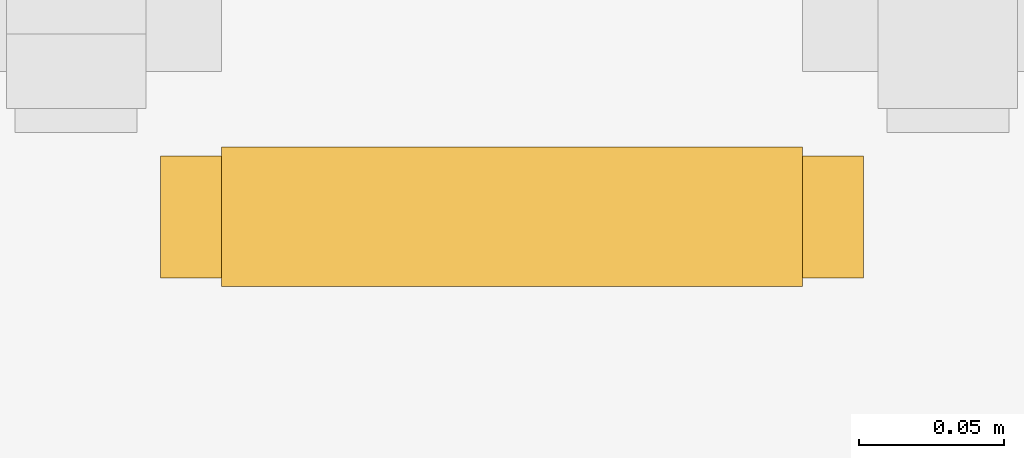
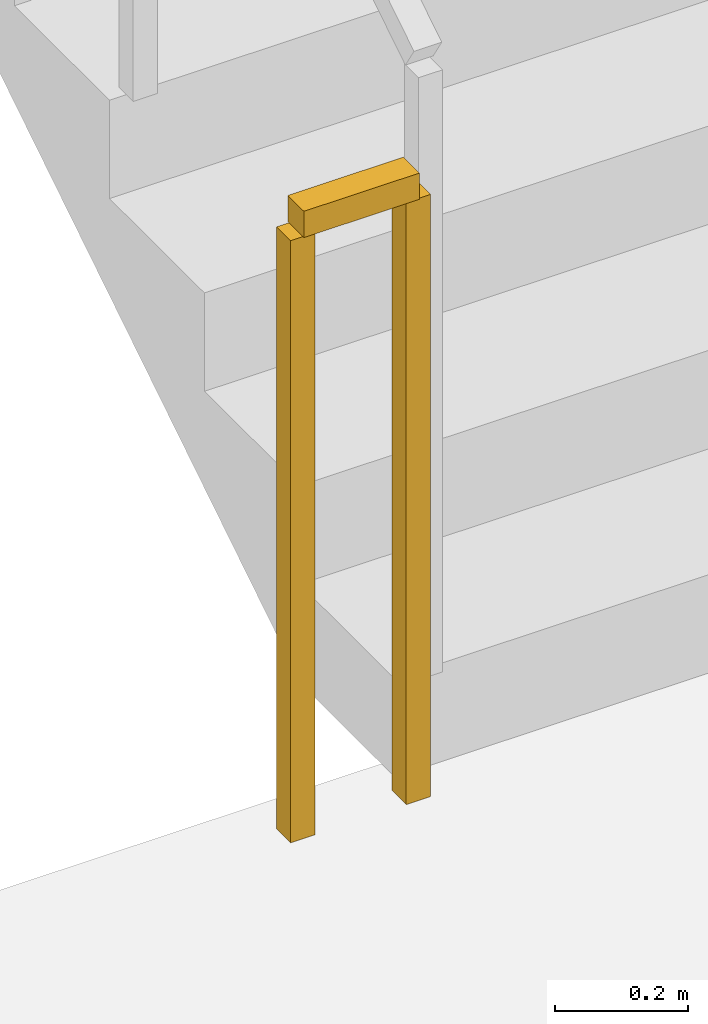
# One storey, part 22 of 24: 1 railing.
"""IFC4 building model written with IfcOpenShell, lengths in metres."""

import ifcopenshell
import ifcopenshell.guid

model = None  # the IFC model being written
_history = None  # IfcOwnerHistory: only IFC2X3 demands one
_inside = {}  # id of a spatial element -> (the spatial element, [elements in it])
_under = {}  # id of a project, library or spatial element -> (it, [spatial elements below it])
_declared = {}  # id of a project -> (the project, [libraries it declares])
_typed = {}  # id of a type object -> (the type object, [elements of that type])
_made_of = {}  # id of a material, layer set ... -> (it, [elements and type objects made of it])


def new_model(schema):
    """Start an empty IFC model of exactly this schema.

    Asked for "IFC4X3", IfcOpenShell would pick the latest addendum, in which some entities
    have other attributes; the version numbers below select the first issue.
    IFC2X3 requires an IfcOwnerHistory on every rooted entity: one is made here for all.
    """
    global model, _history
    if schema == "IFC4X3":
        model = ifcopenshell.file(schema_version=(4, 3, 0, 0))
    else:
        model = ifcopenshell.file(schema=schema)
    _inside.clear()
    _under.clear()
    _declared.clear()
    _typed.clear()
    _made_of.clear()
    _history = None
    if model.schema == "IFC2X3":
        org = make("IfcOrganization", Name="unknown")
        user = make(
            "IfcPersonAndOrganization",
            ThePerson=make("IfcPerson", FamilyName="unknown"),
            TheOrganization=org,
        )
        app = make(
            "IfcApplication",
            ApplicationDeveloper=org,
            Version="unknown",
            ApplicationFullName="unknown",
            ApplicationIdentifier="unknown",
        )
        _history = make(
            "IfcOwnerHistory",
            OwningUser=user,
            OwningApplication=app,
            ChangeAction="ADDED",
            CreationDate=0,
        )
    return model


def make(cls, **values):
    """One entity of the class cls with the attributes given. An attribute that is None is left unset."""
    return model.create_entity(
        cls, **{name: value for name, value in values.items() if value is not None}
    )


def rooted(cls, **values):
    """An entity with a GlobalId (a new one), such as an element, a storey or a relation."""
    return make(cls, GlobalId=ifcopenshell.guid.new(), OwnerHistory=_history, **values)


def si_unit(unit_type, name, prefix=None):
    """IfcSIUnit, for example si_unit("LENGTHUNIT", "METRE", prefix="MILLI")."""
    return make("IfcSIUnit", UnitType=unit_type, Prefix=prefix, Name=name)


def assignment(units):
    """IfcUnitAssignment: the units of a project."""
    return None if units is None else make("IfcUnitAssignment", Units=units)


def point(xyz):
    """IfcCartesianPoint."""
    return None if xyz is None else make("IfcCartesianPoint", Coordinates=xyz)


def direction(xyz):
    """IfcDirection."""
    return None if xyz is None else make("IfcDirection", DirectionRatios=xyz)


def frame(location, z_axis=None, x_axis=None):
    """IfcAxis2Placement3D, a coordinate frame: its origin and axes. An axis left out is left unset."""
    return make(
        "IfcAxis2Placement3D",
        Location=point(location),
        Axis=direction(z_axis),
        RefDirection=direction(x_axis),
    )


def frame_2d(location, x_axis=None):
    """IfcAxis2Placement2D, a coordinate frame in the plane: its origin and x axis."""
    return make(
        "IfcAxis2Placement2D", Location=point(location), RefDirection=direction(x_axis)
    )


def origin():
    """The frame at (0, 0, 0) with its axes left unset."""
    return frame((0.0, 0.0, 0.0))


def origin_2d():
    """The frame at (0, 0) in the plane with its x axis left unset."""
    return frame_2d((0.0, 0.0))


def place(relative_to, where):
    """IfcLocalPlacement: puts the frame where relative to a parent placement (None: the world)."""
    return make(
        "IfcLocalPlacement", PlacementRelTo=relative_to, RelativePlacement=where
    )


def context(
    kind, dimensions, precision=None, world=None, true_north=None, identifier=None
):
    """IfcGeometricRepresentationContext, for example the 3D "Model" context."""
    return make(
        "IfcGeometricRepresentationContext",
        ContextIdentifier=identifier,
        ContextType=kind,
        CoordinateSpaceDimension=dimensions,
        Precision=precision,
        WorldCoordinateSystem=world,
        TrueNorth=true_north,
    )


def subcontext(parent, identifier, kind, view, scale=None):
    """IfcGeometricRepresentationSubContext, for example "Body" below "Model"."""
    return make(
        "IfcGeometricRepresentationSubContext",
        ContextIdentifier=identifier,
        ContextType=kind,
        ParentContext=parent,
        TargetScale=scale,
        TargetView=view,
    )


def project(units=None, contexts=None):
    """IfcProject with its units and contexts."""
    return rooted(
        "IfcProject",
        Name="project",
        RepresentationContexts=contexts,
        UnitsInContext=assignment(units),
    )


def spatial(cls, under=None, at=None, **own):
    """A site, building, storey or space (cls), placed at a placement, below another one or the project."""
    s = rooted(cls, ObjectPlacement=at, **own)
    if under is not None:
        _under.setdefault(under.id(), (under, []))[1].append(s)
    return s


def profile(cls, at=None, kind="AREA", **sizes):
    """A parametric profile (cls). Its sizes go by their IFC names, for example OverallWidth=200.0."""
    return make(cls, ProfileType=kind, Position=at, **sizes)


def rectangle(**sizes):
    """IfcRectangleProfileDef."""
    return profile("IfcRectangleProfileDef", **sizes)


def extrude(swept, where, along, depth):
    """IfcExtrudedAreaSolid: the profile swept, set in the frame where, extruded along a direction by depth."""
    return make(
        "IfcExtrudedAreaSolid",
        SweptArea=swept,
        Position=where,
        ExtrudedDirection=direction(along),
        Depth=depth,
    )


def shape(context_of_items, identifier, shape_type, items):
    """IfcShapeRepresentation: the items that make up one representation, for example the "Body"."""
    return make(
        "IfcShapeRepresentation",
        ContextOfItems=context_of_items,
        RepresentationIdentifier=identifier,
        RepresentationType=shape_type,
        Items=items,
    )


def material(Name=None, Category=None):
    """IfcMaterial."""
    return make("IfcMaterial", Name=Name, Category=Category)


def made_of(thing, what):
    """Note that an element or type object is made of a material, layer set ...; save() writes the relation."""
    if what is not None:
        _made_of.setdefault(what.id(), (what, []))[1].append(thing)
    return thing


def type_object(cls, material=None, **own):
    """A type object (cls), such as IfcWallType, which elements share."""
    return made_of(rooted(cls, **own), material)


def element(
    cls,
    number,
    at=None,
    inside=None,
    cuts=None,
    type_object=None,
    material=None,
    context=None,
    identifier="Body",
    shape_type=None,
    held_by="IfcProductDefinitionShape",
    body=None,
    shapes=None,
    **own,
):
    """One element of the class cls, such as IfcWall. Its Tag is "e" and its number.

    at: its placement. inside: the storey or other place that contains it. cuts: it is an
    opening in that element (IfcRelVoidsElement). A single representation is given by context,
    identifier, shape_type and body (its items); several are given by shapes. held_by: the class
    of the entity that holds the representations. save() writes the other relations.
    """
    e = rooted(cls, Tag="e%d" % number, ObjectPlacement=at, **own)
    if body is not None:
        shapes = [shape(context, identifier, shape_type, body)]
    if shapes is not None:
        e.Representation = make(held_by, Representations=shapes)
    if inside is not None:
        _inside.setdefault(inside.id(), (inside, []))[1].append(e)
    if cuts is not None:
        rooted(
            "IfcRelVoidsElement", RelatingBuildingElement=cuts, RelatedOpeningElement=e
        )
    if type_object is not None:
        _typed.setdefault(type_object.id(), (type_object, []))[1].append(e)
    return made_of(e, material)


def aggregate(whole, parts):
    """IfcRelAggregates: a whole, such as a stair, and the parts it consists of."""
    return rooted("IfcRelAggregates", RelatingObject=whole, RelatedObjects=parts)


def save(model, path):
    """Write the relations noted so far, then the file.

    IfcRelAggregates (storeys below a building ...), IfcRelContainedInSpatialStructure (elements
    in a storey), IfcRelDefinesByType, IfcRelAssociatesMaterial and IfcRelDeclares: one each for
    every whole, place, type object, material and project.
    """
    for whole, parts in _under.values():
        aggregate(whole, parts)
    for where, things in _inside.values():
        rooted(
            "IfcRelContainedInSpatialStructure",
            RelatedElements=things,
            RelatingStructure=where,
        )
    for kind, things in _typed.values():
        rooted("IfcRelDefinesByType", RelatedObjects=things, RelatingType=kind)
    for what, things in _made_of.values():
        rooted("IfcRelAssociatesMaterial", RelatedObjects=things, RelatingMaterial=what)
    for by, libraries in _declared.values():
        rooted("IfcRelDeclares", RelatingContext=by, RelatedDefinitions=libraries)
    model.write(path)


model = new_model("IFC4")

# Units and contexts
model_context = context("Model", 3, precision=1e-05, world=origin(), true_north=direction((0.0, 1.0)))
body_context = subcontext(model_context, "Body", "Model", "MODEL_VIEW")
ifc_project = project(units=[si_unit("LENGTHUNIT", "METRE"), si_unit("AREAUNIT", "SQUARE_METRE"), si_unit("VOLUMEUNIT", "CUBIC_METRE"), si_unit("PLANEANGLEUNIT", "RADIAN"), si_unit("MASSUNIT", "GRAM", prefix="KILO")], contexts=[model_context])

# Site, building, storey
site_placement = place(None, origin())
site = spatial("IfcSite", under=ifc_project, at=site_placement, CompositionType="ELEMENT")
building_placement = place(site_placement, origin())
building = spatial("IfcBuilding", under=site, at=building_placement, Name="Sarneth Arch Tower", CompositionType="ELEMENT")
storey_placement = place(building_placement, frame((0.0, 0.0, 116.39990234375)))
storey = spatial("IfcBuildingStorey", under=building, at=storey_placement, Name="L29", CompositionType="ELEMENT", Elevation=116.39990234375)

# Railing
ifc_material = material(Name="Painted Steel S275 stair well guard", Category="steel")
railing_type = type_object("IfcRailingType", Name="RAIL-STAIR-GUARD", PredefinedType="GUARDRAIL", material=ifc_material)
railing_placement = place(storey_placement, frame((39.050048828125, 41.39990234375, 0.0)))
element("IfcRailing", 1, at=railing_placement, inside=storey, type_object=railing_type, Name="L29 ST-1 stair guard 4", PredefinedType="GUARDRAIL", context=body_context, shape_type="SweptSolid", body=[
    extrude(rectangle(XDim=0.048095703125, YDim=0.048095703125, at=origin_2d()), frame((0.0, 0.0, 1.1259765625), z_axis=(-1.0, 0.0, 0.0), x_axis=(0.0, -1.0, 0.0)), (0.0, 0.0, 1.0), 0.199951171875),
    extrude(rectangle(XDim=0.0419921875, YDim=0.0419921875, at=origin_2d()), origin(), (0.0, 0.0, 1.0), 1.101806640625),
    extrude(rectangle(XDim=0.0419921875, YDim=0.0419921875, at=origin_2d()), frame((-0.199951171875, 0.0, 0.0)), (0.0, 0.0, 1.0), 1.101806640625),
])

save(model, "model.ifc")
